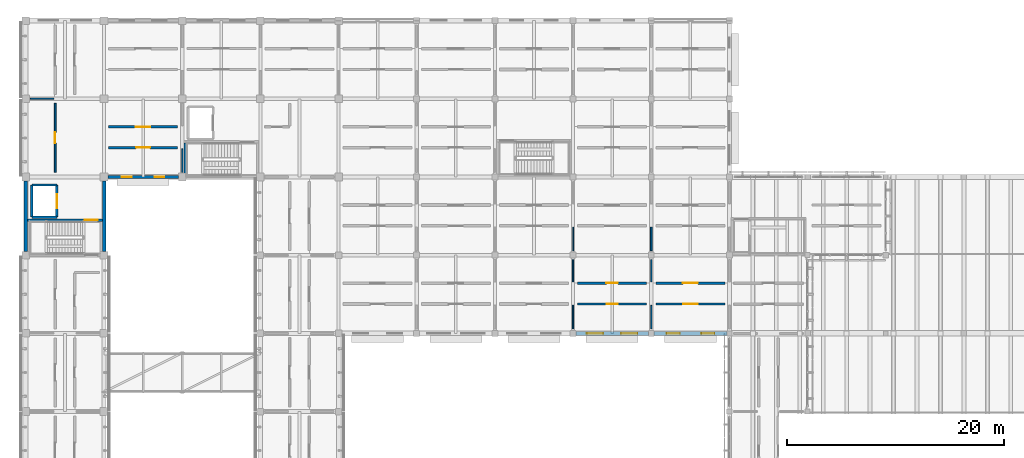
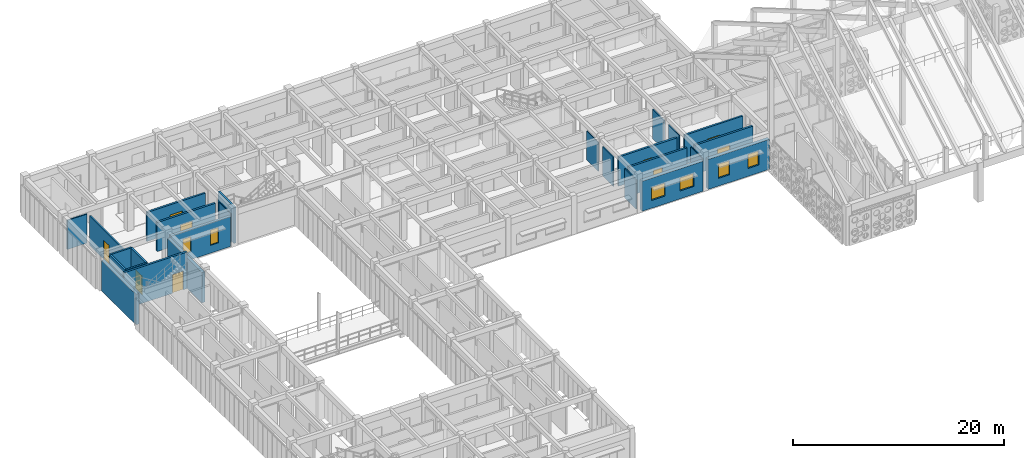
# One storey, part 125 of 171: 26 walls, 9 doors, 6 windows, 15 openings.
"""IFC4 building model written with IfcOpenShell, lengths in metres."""

from ifc_helpers import new_model, si_unit, direction, frame, frame_2d, origin, place, context, subcontext, project, spatial, rectangle, extrude, material, layer, layer_set, type_object, element, fill, save


model = new_model("IFC4")

# Units and contexts
model_context = context("Model", 3, precision=1e-05, world=origin(), true_north=direction((0.0, 1.0)))
body_context = subcontext(model_context, "Body", "Model", "MODEL_VIEW")
ifc_project = project(units=[si_unit("LENGTHUNIT", "METRE"), si_unit("AREAUNIT", "SQUARE_METRE"), si_unit("VOLUMEUNIT", "CUBIC_METRE"), si_unit("PLANEANGLEUNIT", "RADIAN"), si_unit("MASSUNIT", "GRAM", prefix="KILO")], contexts=[model_context])

# Site, building, storey
site_placement = place(None, origin())
site = spatial("IfcSite", under=ifc_project, at=site_placement, CompositionType="ELEMENT")
building_placement = place(site_placement, origin())
building = spatial("IfcBuilding", under=site, at=building_placement, Name="Aldebral Square Health Centre", CompositionType="ELEMENT")
storey_placement = place(building_placement, frame((0.0, 0.0, 4.5)))
storey = spatial("IfcBuildingStorey", under=building, at=storey_placement, Name="L01", CompositionType="ELEMENT", Elevation=4.5)

# Wall, openings, windows
ifc_material_1 = material(Name="Ochre mineral-rendered concrete C35/45 court wall", Category="concrete")
ifc_layer_1 = layer(ifc_material_1, 0.280029296875, Name="Ochre mineral-rendered concrete C35/45 court wall", Category="concrete")
ifc_layer_set_1 = layer_set([ifc_layer_1], Name="Ochre mineral-rendered concrete C35/45 court wall")
wall_type_1 = type_object("IfcWallType", Name="EW-OCH-280", PredefinedType="STANDARD", material=ifc_layer_set_1)
wall_1_placement = place(storey_placement, frame((7.550048828125, 100.800048828125, 0.0), z_axis=(0.0, 0.0, 1.0), x_axis=(1.0, 0.0, 0.0)))
wall_1 = element("IfcWall", 1, at=wall_1_placement, inside=storey, type_object=wall_type_1, Name="L01 V4 exterior wall L01-V4-01-14-S", PredefinedType="STANDARD", context=body_context, shape_type="SweptSolid", body=[
    extrude(rectangle(XDim=6.5, YDim=0.280029296875, at=frame_2d((3.25, 0.0))), origin(), (0.0, 0.0, 1.0), 3.469970703125),
])
opening_1_placement = place(wall_1_placement, frame((1.300048828125, 0.0, 0.89990234375)))
opening_1 = element("IfcOpeningElement", 2, at=opening_1_placement, cuts=wall_1, Name="Opening W37", PredefinedType="OPENING", context=body_context, shape_type="SweptSolid", body=[
    extrude(rectangle(XDim=0.89990234375, YDim=1.75, at=frame_2d((0.449951171875, 0.875))), frame((0.0, 0.14990234375, 0.0), z_axis=(0.0, -1.0, 0.0), x_axis=(1.0, 0.0, 0.0)), (0.0, 0.0, 1.0), 0.300048828125),
])
opening_2_placement = place(wall_1_placement, frame((4.300048828125, 0.0, 0.89990234375)))
opening_2 = element("IfcOpeningElement", 3, at=opening_2_placement, cuts=wall_1, Name="Opening W37", PredefinedType="OPENING", context=body_context, shape_type="SweptSolid", body=[
    extrude(rectangle(XDim=0.89990234375, YDim=1.75, at=frame_2d((0.449951171875, 0.875))), frame((0.0, 0.14990234375, 0.0), z_axis=(0.0, -1.0, 0.0), x_axis=(1.0, 0.0, 0.0)), (0.0, 0.0, 1.0), 0.300048828125),
])
ifc_material_2 = material(Name="Thermally broken aluminium and low-E glass", Category="aluminium")
window_type_1 = type_object("IfcWindowType", Name="WIN-W37", PartitioningType="SINGLE_PANEL", PredefinedType="WINDOW", material=ifc_material_2)
window_1_placement = place(opening_1_placement, origin())
window_1 = element("IfcWindow", 4, at=window_1_placement, inside=storey, type_object=window_type_1, Name="L01 clinical window L01-V4-01-14-S.1", OverallHeight=1.75, OverallWidth=0.89990234375, PartitioningType="SINGLE_PANEL", PredefinedType="WINDOW", context=body_context, shape_type="SweptSolid", body=[
    extrude(rectangle(XDim=0.89990234375, YDim=1.75, at=frame_2d((0.449951171875, 0.875))), frame((0.0, 0.030029296875, 0.0), z_axis=(0.0, -1.0, 0.0), x_axis=(1.0, 0.0, 0.0)), (0.0, 0.0, 1.0), 0.06005859375),
])
fill(opening_1, window_1)
window_2_placement = place(opening_2_placement, origin())
window_2 = element("IfcWindow", 5, at=window_2_placement, inside=storey, type_object=window_type_1, Name="L01 clinical window L01-V4-01-14-S.2", OverallHeight=1.75, OverallWidth=0.89990234375, PartitioningType="SINGLE_PANEL", PredefinedType="WINDOW", context=body_context, shape_type="SweptSolid", body=[
    extrude(rectangle(XDim=0.89990234375, YDim=1.75, at=frame_2d((0.449951171875, 0.875))), frame((0.0, 0.030029296875, 0.0), z_axis=(0.0, -1.0, 0.0), x_axis=(1.0, 0.0, 0.0)), (0.0, 0.0, 1.0), 0.06005859375),
])
fill(opening_2, window_2)

# Walls
ifc_material_3 = material(Name="Precast concrete C40/50 insulated panel", Category="concrete")
ifc_layer_2 = layer(ifc_material_3, 0.320068359375, Name="Precast concrete C40/50 insulated panel", Category="concrete")
ifc_layer_set_2 = layer_set([ifc_layer_2], Name="Precast concrete C40/50 insulated panel")
wall_type_2 = type_object("IfcWallType", Name="EW-PRE-320", PredefinedType="STANDARD", material=ifc_layer_set_2)
for number, where, z_axis, x_axis, name in (
    (6, (0.0, 100.449951171875, 0.0), (0.0, 0.0, 1.0), (0.0, -1.0, 0.0), "L01 V4 exterior wall L01-V4-00-13-W"),
    (7, (7.199951171875, 93.949951171875, 0.0), (0.0, 0.0, 1.0), (0.0, 1.0, 0.0), "L01 V4 exterior wall L01-V4-00-13-E"),
):
    element("IfcWall", number, at=place(storey_placement, frame(where, z_axis=z_axis, x_axis=x_axis)), inside=storey, type_object=wall_type_2, Name=name, PredefinedType="STANDARD", context=body_context, shape_type="SweptSolid", body=[
        extrude(rectangle(XDim=6.5, YDim=0.320068359375, at=frame_2d((3.25, 0.0))), origin(), (0.0, 0.0, 1.0), 3.52001953125),
    ])

# Wall, openings, windows
ifc_material_4 = material(Name="Lead-lined concrete C40/50 radiology exterior wall", Category="concrete")
ifc_layer_3 = layer(ifc_material_4, 0.3798828125, Name="Lead-lined concrete C40/50 radiology exterior wall", Category="concrete")
ifc_layer_set_3 = layer_set([ifc_layer_3], Name="Lead-lined concrete C40/50 radiology exterior wall")
wall_type_3 = type_object("IfcWallType", Name="EW-SHD-380", PredefinedType="SOLIDWALL", material=ifc_layer_set_3)
wall_2_placement = place(storey_placement, frame((50.675048828125, 86.39990234375, 0.0), z_axis=(0.0, 0.0, 1.0), x_axis=(1.0, 0.0, 0.0)))
wall_2 = element("IfcWall", 8, at=wall_2_placement, inside=storey, type_object=wall_type_3, Name="L01 V2 exterior wall L01-V2-07-12-S", PredefinedType="SOLIDWALL", context=body_context, shape_type="SweptSolid", body=[
    extrude(rectangle(XDim=6.64990234375, YDim=0.3798828125, at=frame_2d((3.324951171875, 0.0))), origin(), (0.0, 0.0, 1.0), 3.469970703125),
])
opening_3_placement = place(wall_2_placement, frame((1.0, 0.0, 0.89990234375)))
opening_3 = element("IfcOpeningElement", 9, at=opening_3_placement, cuts=wall_2, Name="Opening W23", PredefinedType="OPENING", context=body_context, shape_type="SweptSolid", body=[
    extrude(rectangle(XDim=1.5, YDim=1.5, at=frame_2d((0.75, 0.75))), frame((0.0, 0.199951171875, 0.0), z_axis=(0.0, -1.0, 0.0), x_axis=(1.0, 0.0, 0.0)), (0.0, 0.0, 1.0), 0.39990234375),
])
opening_4_placement = place(wall_2_placement, frame((4.14990234375, 0.0, 0.89990234375)))
opening_4 = element("IfcOpeningElement", 10, at=opening_4_placement, cuts=wall_2, Name="Opening W23", PredefinedType="OPENING", context=body_context, shape_type="SweptSolid", body=[
    extrude(rectangle(XDim=1.5, YDim=1.5, at=frame_2d((0.75, 0.75))), frame((0.0, 0.199951171875, 0.0), z_axis=(0.0, -1.0, 0.0), x_axis=(1.0, 0.0, 0.0)), (0.0, 0.0, 1.0), 0.39990234375),
])
window_type_2 = type_object("IfcWindowType", Name="WIN-W23", PartitioningType="SINGLE_PANEL", PredefinedType="WINDOW", material=ifc_material_2)
window_3_placement = place(opening_3_placement, origin())
window_3 = element("IfcWindow", 11, at=window_3_placement, inside=storey, type_object=window_type_2, Name="L01 clinical window L01-V2-07-12-S.1", OverallHeight=1.5, OverallWidth=1.5, PartitioningType="SINGLE_PANEL", PredefinedType="WINDOW", context=body_context, shape_type="SweptSolid", body=[
    extrude(rectangle(XDim=1.5, YDim=1.5, at=frame_2d((0.75, 0.75))), frame((0.0, 0.030029296875, 0.0), z_axis=(0.0, -1.0, 0.0), x_axis=(1.0, 0.0, 0.0)), (0.0, 0.0, 1.0), 0.06005859375),
])
fill(opening_3, window_3)
window_4_placement = place(opening_4_placement, origin())
window_4 = element("IfcWindow", 12, at=window_4_placement, inside=storey, type_object=window_type_2, Name="L01 clinical window L01-V2-07-12-S.2", OverallHeight=1.5, OverallWidth=1.5, PartitioningType="SINGLE_PANEL", PredefinedType="WINDOW", context=body_context, shape_type="SweptSolid", body=[
    extrude(rectangle(XDim=1.5, YDim=1.5, at=frame_2d((0.75, 0.75))), frame((0.0, 0.030029296875, 0.0), z_axis=(0.0, -1.0, 0.0), x_axis=(1.0, 0.0, 0.0)), (0.0, 0.0, 1.0), 0.06005859375),
])
fill(opening_4, window_4)

wall_3_placement = place(storey_placement, frame((57.875, 86.39990234375, 0.0), z_axis=(0.0, 0.0, 1.0), x_axis=(1.0, 0.0, 0.0)))
wall_3 = element("IfcWall", 13, at=wall_3_placement, inside=storey, type_object=wall_type_3, Name="L01 V2 exterior wall L01-V2-08-12-S", PredefinedType="SOLIDWALL", context=body_context, shape_type="SweptSolid", body=[
    extrude(rectangle(XDim=6.699951171875, YDim=0.3798828125, at=frame_2d((3.35009765625, 0.0))), origin(), (0.0, 0.0, 1.0), 3.469970703125),
])
opening_5_placement = place(wall_3_placement, frame((1.14990234375, 0.0, 0.89990234375)))
opening_5 = element("IfcOpeningElement", 14, at=opening_5_placement, cuts=wall_3, Name="Opening W30", PredefinedType="OPENING", context=body_context, shape_type="SweptSolid", body=[
    extrude(rectangle(XDim=1.199951171875, YDim=1.6201171875, at=frame_2d((0.60009765625, 0.81005859375))), frame((0.0, 0.199951171875, 0.0), z_axis=(0.0, -1.0, 0.0), x_axis=(1.0, 0.0, 0.0)), (0.0, 0.0, 1.0), 0.39990234375),
])
opening_6_placement = place(wall_3_placement, frame((4.35009765625, 0.0, 0.89990234375)))
opening_6 = element("IfcOpeningElement", 15, at=opening_6_placement, cuts=wall_3, Name="Opening W30", PredefinedType="OPENING", context=body_context, shape_type="SweptSolid", body=[
    extrude(rectangle(XDim=1.199951171875, YDim=1.6201171875, at=frame_2d((0.60009765625, 0.81005859375))), frame((0.0, 0.199951171875, 0.0), z_axis=(0.0, -1.0, 0.0), x_axis=(1.0, 0.0, 0.0)), (0.0, 0.0, 1.0), 0.39990234375),
])
window_type_3 = type_object("IfcWindowType", Name="WIN-W30", PartitioningType="SINGLE_PANEL", PredefinedType="WINDOW", material=ifc_material_2)
window_5_placement = place(opening_5_placement, origin())
window_5 = element("IfcWindow", 16, at=window_5_placement, inside=storey, type_object=window_type_3, Name="L01 clinical window L01-V2-08-12-S.1", OverallHeight=1.6201171875, OverallWidth=1.199951171875, PartitioningType="SINGLE_PANEL", PredefinedType="WINDOW", context=body_context, shape_type="SweptSolid", body=[
    extrude(rectangle(XDim=1.199951171875, YDim=1.6201171875, at=frame_2d((0.60009765625, 0.81005859375))), frame((0.0, 0.030029296875, 0.0), z_axis=(0.0, -1.0, 0.0), x_axis=(1.0, 0.0, 0.0)), (0.0, 0.0, 1.0), 0.06005859375),
])
fill(opening_5, window_5)
window_6_placement = place(opening_6_placement, origin())
window_6 = element("IfcWindow", 17, at=window_6_placement, inside=storey, type_object=window_type_3, Name="L01 clinical window L01-V2-08-12-S.2", OverallHeight=1.6201171875, OverallWidth=1.199951171875, PartitioningType="SINGLE_PANEL", PredefinedType="WINDOW", context=body_context, shape_type="SweptSolid", body=[
    extrude(rectangle(XDim=1.199951171875, YDim=1.6201171875, at=frame_2d((0.60009765625, 0.81005859375))), frame((0.0, 0.030029296875, 0.0), z_axis=(0.0, -1.0, 0.0), x_axis=(1.0, 0.0, 0.0)), (0.0, 0.0, 1.0), 0.06005859375),
])
fill(opening_6, window_6)

# Wall, opening, door
ifc_material_5 = material(Name="Concrete C35/45 compartment wall", Category="concrete")
ifc_layer_4 = layer(ifc_material_5, 0.199951171875, Name="Concrete C35/45 compartment wall", Category="concrete")
ifc_layer_set_4 = layer_set([ifc_layer_4], Name="Concrete C35/45 compartment wall")
wall_type_4 = type_object("IfcWallType", Name="IW-CMP-200", PredefinedType="SOLIDWALL", material=ifc_layer_set_4)
wall_4_placement = place(storey_placement, frame((58.02001953125, 91.02001953125, 0.0), z_axis=(0.0, 0.0, 1.0), x_axis=(1.0, 0.0, 0.0)))
wall_4 = element("IfcWall", 18, at=wall_4_placement, inside=storey, type_object=wall_type_4, Name="L01 Imaging Equipment Plant Room 9.13N corridor wall", PredefinedType="SOLIDWALL", context=body_context, shape_type="SweptSolid", body=[
    extrude(rectangle(XDim=6.35986328125, YDim=0.199951171875, at=frame_2d((3.179931640625, 0.0))), origin(), (0.0, 0.0, 1.0), 3.360107421875),
])
opening_7_placement = place(wall_4_placement, frame((2.489990234375, 0.0, 0.0)))
opening_7 = element("IfcOpeningElement", 19, at=opening_7_placement, cuts=wall_4, Name="Opening D-0234", PredefinedType="OPENING", context=body_context, shape_type="SweptSolid", body=[
    extrude(rectangle(XDim=1.3798828125, YDim=2.0400390625, at=frame_2d((0.68994140625, 1.02001953125))), frame((0.0, 0.10986328125, 0.0), z_axis=(0.0, -1.0, 0.0), x_axis=(1.0, 0.0, 0.0)), (0.0, 0.0, 1.0), 0.219970703125),
])
ifc_material_6 = material(Name="Clinical suite fire door")
door_type_1 = type_object("IfcDoorType", Name="ID-EXD-12", OperationType="NOTDEFINED", PredefinedType="DOOR", material=ifc_material_6)
door_1_placement = place(opening_7_placement, origin())
door_1 = element("IfcDoor", 20, at=door_1_placement, inside=storey, type_object=door_type_1, Name="L01 Imaging Equipment Plant Room 9.13N door", OperationType="SINGLE_SWING_LEFT", OverallHeight=2.0400390625, OverallWidth=1.3798828125, PredefinedType="DOOR", context=body_context, shape_type="SweptSolid", body=[
    extrude(rectangle(XDim=1.3798828125, YDim=2.0400390625, at=frame_2d((0.68994140625, 1.02001953125))), frame((0.0, 0.02490234375, 0.0), z_axis=(0.0, -1.0, 0.0), x_axis=(1.0, 0.0, 0.0)), (0.0, 0.0, 1.0), 0.050048828125),
])
fill(opening_7, door_1)

ifc_layer_5 = layer(ifc_material_5, 0.219970703125, Name="Concrete C35/45 compartment wall", Category="concrete")
ifc_layer_set_5 = layer_set([ifc_layer_5], Name="Concrete C35/45 compartment wall")
wall_type_5 = type_object("IfcWallType", Name="IW-CMP-220", PredefinedType="SOLIDWALL", material=ifc_layer_set_5)
wall_5_placement = place(storey_placement, frame((50.820068359375, 91.02001953125, 0.0), z_axis=(0.0, 0.0, 1.0), x_axis=(1.0, 0.0, 0.0)))
wall_5 = element("IfcWall", 21, at=wall_5_placement, inside=storey, type_object=wall_type_5, Name="L01 Imaging Equipment Plant Room 8.13N corridor wall", PredefinedType="SOLIDWALL", context=body_context, shape_type="SweptSolid", body=[
    extrude(rectangle(XDim=6.35986328125, YDim=0.219970703125, at=frame_2d((3.179931640625, 0.0))), origin(), (0.0, 0.0, 1.0), 3.360107421875),
])
opening_8_placement = place(wall_5_placement, frame((2.64990234375, 0.0, 0.0)))
opening_8 = element("IfcOpeningElement", 22, at=opening_8_placement, cuts=wall_5, Name="Opening D-0226", PredefinedType="OPENING", context=body_context, shape_type="SweptSolid", body=[
    extrude(rectangle(XDim=1.06005859375, YDim=2.0400390625, at=frame_2d((0.530029296875, 1.02001953125))), frame((0.0, 0.1201171875, 0.0), z_axis=(0.0, -1.0, 0.0), x_axis=(1.0, 0.0, 0.0)), (0.0, 0.0, 1.0), 0.239990234375),
])
door_type_2 = type_object("IfcDoorType", Name="ID-EXD-04", OperationType="NOTDEFINED", PredefinedType="DOOR", material=ifc_material_6)
door_2_placement = place(opening_8_placement, origin())
door_2 = element("IfcDoor", 23, at=door_2_placement, inside=storey, type_object=door_type_2, Name="L01 Imaging Equipment Plant Room 8.13N door", OperationType="SINGLE_SWING_LEFT", OverallHeight=2.0400390625, OverallWidth=1.06005859375, PredefinedType="DOOR", context=body_context, shape_type="SweptSolid", body=[
    extrude(rectangle(XDim=1.06005859375, YDim=2.0400390625, at=frame_2d((0.530029296875, 1.02001953125))), frame((0.0, 0.02490234375, 0.0), z_axis=(0.0, -1.0, 0.0), x_axis=(1.0, 0.0, 0.0)), (0.0, 0.0, 1.0), 0.050048828125),
])
fill(opening_8, door_2)

ifc_material_7 = material(Name="Fire-rated acoustic gypsum partition")
ifc_layer_6 = layer(ifc_material_7, 0.1650390625, Name="Fire-rated acoustic gypsum partition")
ifc_layer_set_6 = layer_set([ifc_layer_6], Name="Fire-rated acoustic gypsum partition")
wall_type_6 = type_object("IfcWallType", Name="IW-COR-165", PredefinedType="PARTITIONING", material=ifc_layer_set_6)
wall_6_placement = place(storey_placement, frame((2.699951171875, 101.219970703125, 0.0), z_axis=(0.0, 0.0, 1.0), x_axis=(0.0, 1.0, 0.0)))
wall_6 = element("IfcWall", 24, at=wall_6_placement, inside=storey, type_object=wall_type_6, Name="L01 Outpatient Treatment Room 1.15W corridor wall", PredefinedType="PARTITIONING", context=body_context, shape_type="SweptSolid", body=[
    extrude(rectangle(XDim=6.360107421875, YDim=0.1650390625, at=frame_2d((3.18017578125, 0.0))), origin(), (0.0, 0.0, 1.0), 3.360107421875),
])
opening_9_placement = place(wall_6_placement, frame((2.669921875, 0.0, 0.0)))
opening_9 = element("IfcOpeningElement", 25, at=opening_9_placement, cuts=wall_6, Name="Opening D-0273", PredefinedType="OPENING", context=body_context, shape_type="SweptSolid", body=[
    extrude(rectangle(XDim=1.02001953125, YDim=2.18994140625, at=frame_2d((0.510009765625, 1.094970703125))), frame((0.0, 0.092529296875, 0.0), z_axis=(0.0, -1.0, 0.0), x_axis=(1.0, 0.0, 0.0)), (0.0, 0.0, 1.0), 0.18505859375),
])
door_type_3 = type_object("IfcDoorType", Name="ID-EXD-51", OperationType="NOTDEFINED", PredefinedType="DOOR", material=ifc_material_6)
door_3_placement = place(opening_9_placement, origin())
door_3 = element("IfcDoor", 26, at=door_3_placement, inside=storey, type_object=door_type_3, Name="L01 Outpatient Treatment Room 1.15W door", OperationType="SINGLE_SWING_RIGHT", OverallHeight=2.18994140625, OverallWidth=1.02001953125, PredefinedType="DOOR", context=body_context, shape_type="SweptSolid", body=[
    extrude(rectangle(XDim=1.02001953125, YDim=2.18994140625, at=frame_2d((0.510009765625, 1.094970703125))), frame((0.0, 0.02490234375, 0.0), z_axis=(0.0, -1.0, 0.0), x_axis=(1.0, 0.0, 0.0)), (0.0, 0.0, 1.0), 0.050048828125),
])
fill(opening_9, door_3)

ifc_material_8 = material(Name="Concrete C40/50", Category="concrete")
ifc_layer_7 = layer(ifc_material_8, 0.219970703125, Name="Concrete C40/50", Category="concrete")
ifc_layer_set_7 = layer_set([ifc_layer_7], Name="Concrete C40/50")
wall_type_7 = type_object("IfcWallType", Name="IW-CORE-280", PredefinedType="SHEAR", material=ifc_layer_set_7)
wall_7_placement = place(storey_placement, frame((0.159912109375, 96.830078125, 0.0), z_axis=(0.0, 0.0, 1.0), x_axis=(1.0, 0.0, 0.0)))
wall_7 = element("IfcWall", 27, at=wall_7_placement, inside=storey, type_object=wall_type_7, Name="L01 WC-C1 shaft wall N", PredefinedType="SHEAR", context=body_context, shape_type="SweptSolid", body=[
    extrude(rectangle(XDim=6.880126953125, YDim=0.219970703125, at=frame_2d((3.43994140625, 0.0))), origin(), (0.0, 0.0, 1.0), 4.219970703125),
])
opening_10_placement = place(wall_7_placement, frame((5.25, 0.0, 0.0)))
opening_10 = element("IfcOpeningElement", 28, at=opening_10_placement, cuts=wall_7, Name="Opening D-0005", PredefinedType="OPENING", context=body_context, shape_type="SweptSolid", body=[
    extrude(rectangle(XDim=1.199951171875, YDim=2.14990234375, at=frame_2d((0.60009765625, 1.074951171875))), frame((0.0, 0.1201171875, 0.0), z_axis=(0.0, -1.0, 0.0), x_axis=(1.0, 0.0, 0.0)), (0.0, 0.0, 1.0), 0.239990234375),
])
ifc_material_9 = material(Name="Fire-rated steel stair door", Category="steel")
door_type_4 = type_object("IfcDoorType", Name="ID-ST-120", OperationType="NOTDEFINED", PredefinedType="DOOR", material=ifc_material_9)
door_4_placement = place(opening_10_placement, origin())
door_4 = element("IfcDoor", 29, at=door_4_placement, inside=storey, type_object=door_type_4, Name="L01 ST-01 fire door", OperationType="SINGLE_SWING_RIGHT", OverallHeight=2.14990234375, OverallWidth=1.199951171875, PredefinedType="DOOR", context=body_context, shape_type="SweptSolid", body=[
    extrude(rectangle(XDim=1.199951171875, YDim=2.14990234375, at=frame_2d((0.60009765625, 1.074951171875))), frame((0.0, 0.02490234375, 0.0), z_axis=(0.0, -1.0, 0.0), x_axis=(1.0, 0.0, 0.0)), (0.0, 0.0, 1.0), 0.050048828125),
])
fill(opening_10, door_4)

# Walls
wall_8_placement = place(storey_placement, frame((14.669921875, 100.919921875, 0.0), z_axis=(0.0, 0.0, 1.0), x_axis=(0.0, 1.0, 0.0)))
element("IfcWall", 30, at=wall_8_placement, inside=storey, type_object=wall_type_7, Name="L01 WC-C2 shaft wall W", PredefinedType="SHEAR", context=body_context, shape_type="SweptSolid", body=[
    extrude(rectangle(XDim=3.0, YDim=0.219970703125, at=frame_2d((1.5, 0.0))), origin(), (0.0, 0.0, 1.0), 4.219970703125),
])
ifc_layer_8 = layer(ifc_material_8, 0.199951171875, Name="Concrete C40/50", Category="concrete")
ifc_layer_set_8 = layer_set([ifc_layer_8], Name="Concrete C40/50")
wall_type_8 = type_object("IfcWallType", Name="IW-LFT-250", PredefinedType="SHEAR", material=ifc_layer_set_8)
wall_9_placement = place(storey_placement, frame((0.550048828125, 97.10009765625, 0.0), z_axis=(0.0, 0.0, 1.0), x_axis=(1.0, 0.0, 0.0)))
element("IfcWall", 31, at=wall_9_placement, inside=storey, type_object=wall_type_8, Name="L01 LF-01 shaft wall S", PredefinedType="SHEAR", context=body_context, shape_type="SweptSolid", body=[
    extrude(rectangle(XDim=2.300048828125, YDim=0.199951171875, at=frame_2d((1.14990234375, 0.0))), origin(), (0.0, 0.0, 1.0), 4.219970703125),
])
wall_10_placement = place(storey_placement, frame((0.550048828125, 97.10009765625, 0.0), z_axis=(0.0, 0.0, 1.0), x_axis=(0.0, 1.0, 0.0)))
element("IfcWall", 32, at=wall_10_placement, inside=storey, type_object=wall_type_8, Name="L01 LF-01 shaft wall W", PredefinedType="SHEAR", context=body_context, shape_type="SweptSolid", body=[
    extrude(rectangle(XDim=2.949951171875, YDim=0.199951171875, at=frame_2d((1.47509765625, 0.0))), origin(), (0.0, 0.0, 1.0), 4.219970703125),
])
wall_11_placement = place(storey_placement, frame((0.550048828125, 100.050048828125, 0.0), z_axis=(0.0, 0.0, 1.0), x_axis=(1.0, 0.0, 0.0)))
element("IfcWall", 33, at=wall_11_placement, inside=storey, type_object=wall_type_8, Name="L01 LF-01 shaft wall N", PredefinedType="SHEAR", context=body_context, shape_type="SweptSolid", body=[
    extrude(rectangle(XDim=2.300048828125, YDim=0.199951171875, at=frame_2d((1.14990234375, 0.0))), origin(), (0.0, 0.0, 1.0), 4.219970703125),
])

# Wall, opening, door
wall_12_placement = place(storey_placement, frame((2.85009765625, 97.10009765625, 0.0), z_axis=(0.0, 0.0, 1.0), x_axis=(0.0, 1.0, 0.0)))
wall_12 = element("IfcWall", 34, at=wall_12_placement, inside=storey, type_object=wall_type_8, Name="L01 LF-01 landing wall", PredefinedType="SHEAR", context=body_context, shape_type="SweptSolid", body=[
    extrude(rectangle(XDim=2.949951171875, YDim=0.199951171875, at=frame_2d((1.47509765625, 0.0))), origin(), (0.0, 0.0, 1.0), 4.219970703125),
])
opening_11_placement = place(wall_12_placement, frame((0.824951171875, 0.0, 0.0)))
opening_11 = element("IfcOpeningElement", 35, at=opening_11_placement, cuts=wall_12, Name="Opening D-0007", PredefinedType="OPENING", context=body_context, shape_type="SweptSolid", body=[
    extrude(rectangle(XDim=1.300048828125, YDim=2.14990234375, at=frame_2d((0.64990234375, 1.074951171875))), frame((0.0, 0.10986328125, 0.0), z_axis=(0.0, -1.0, 0.0), x_axis=(1.0, 0.0, 0.0)), (0.0, 0.0, 1.0), 0.219970703125),
])
ifc_material_10 = material(Name="Stainless steel stretcher lift landing door", Category="steel")
door_type_5 = type_object("IfcDoorType", Name="ID-LD-130", OperationType="SLIDING_TO_LEFT", PredefinedType="DOOR", material=ifc_material_10)
door_5_placement = place(opening_11_placement, origin())
door_5 = element("IfcDoor", 36, at=door_5_placement, inside=storey, type_object=door_type_5, Name="L01 LF-01 sliding landing door", OperationType="SLIDING_TO_LEFT", OverallHeight=2.14990234375, OverallWidth=1.300048828125, PredefinedType="DOOR", context=body_context, shape_type="SweptSolid", body=[
    extrude(rectangle(XDim=1.300048828125, YDim=2.14990234375, at=frame_2d((0.64990234375, 1.074951171875))), frame((0.0, 0.02490234375, 0.0), z_axis=(0.0, -1.0, 0.0), x_axis=(1.0, 0.0, 0.0)), (0.0, 0.0, 1.0), 0.050048828125),
])
fill(opening_11, door_5)

ifc_material_11 = material(Name="Moisture-resistant sanitary chase wall")
ifc_layer_9 = layer(ifc_material_11, 0.2099609375, Name="Moisture-resistant sanitary chase wall")
ifc_layer_set_9 = layer_set([ifc_layer_9], Name="Moisture-resistant sanitary chase wall")
wall_type_9 = type_object("IfcWallType", Name="IW-PLB-210", PredefinedType="PLUMBINGWALL", material=ifc_layer_set_9)
wall_13_placement = place(storey_placement, frame((50.820068359375, 89.10009765625, 0.0), z_axis=(0.0, 0.0, 1.0), x_axis=(1.0, 0.0, 0.0)))
wall_13 = element("IfcWall", 37, at=wall_13_placement, inside=storey, type_object=wall_type_9, Name="L01 Patient Imaging Dressing WC 8.13S corridor wall", PredefinedType="PLUMBINGWALL", context=body_context, shape_type="SweptSolid", body=[
    extrude(rectangle(XDim=6.35986328125, YDim=0.2099609375, at=frame_2d((3.179931640625, 0.0))), origin(), (0.0, 0.0, 1.0), 3.360107421875),
])
opening_12_placement = place(wall_13_placement, frame((2.669921875, 0.0, 0.0)))
opening_12 = element("IfcOpeningElement", 38, at=opening_12_placement, cuts=wall_13, Name="Opening D-0225", PredefinedType="OPENING", context=body_context, shape_type="SweptSolid", body=[
    extrude(rectangle(XDim=1.02001953125, YDim=2.0400390625, at=frame_2d((0.510009765625, 1.02001953125))), frame((0.0, 0.114990234375, 0.0), z_axis=(0.0, -1.0, 0.0), x_axis=(1.0, 0.0, 0.0)), (0.0, 0.0, 1.0), 0.22998046875),
])
door_type_6 = type_object("IfcDoorType", Name="ID-EXD-03", OperationType="NOTDEFINED", PredefinedType="DOOR", material=ifc_material_6)
door_6_placement = place(opening_12_placement, origin())
door_6 = element("IfcDoor", 39, at=door_6_placement, inside=storey, type_object=door_type_6, Name="L01 Patient Imaging Dressing WC 8.13S door", OperationType="SINGLE_SWING_RIGHT", OverallHeight=2.0400390625, OverallWidth=1.02001953125, PredefinedType="DOOR", context=body_context, shape_type="SweptSolid", body=[
    extrude(rectangle(XDim=1.02001953125, YDim=2.0400390625, at=frame_2d((0.510009765625, 1.02001953125))), frame((0.0, 0.02490234375, 0.0), z_axis=(0.0, -1.0, 0.0), x_axis=(1.0, 0.0, 0.0)), (0.0, 0.0, 1.0), 0.050048828125),
])
fill(opening_12, door_6)

wall_14_placement = place(storey_placement, frame((58.02001953125, 89.10009765625, 0.0), z_axis=(0.0, 0.0, 1.0), x_axis=(1.0, 0.0, 0.0)))
wall_14 = element("IfcWall", 40, at=wall_14_placement, inside=storey, type_object=wall_type_9, Name="L01 Patient Imaging Dressing WC 9.13S corridor wall", PredefinedType="PLUMBINGWALL", context=body_context, shape_type="SweptSolid", body=[
    extrude(rectangle(XDim=6.35986328125, YDim=0.2099609375, at=frame_2d((3.179931640625, 0.0))), origin(), (0.0, 0.0, 1.0), 3.360107421875),
])
opening_13_placement = place(wall_14_placement, frame((2.510009765625, 0.0, 0.0)))
opening_13 = element("IfcOpeningElement", 41, at=opening_13_placement, cuts=wall_14, Name="Opening D-0233", PredefinedType="OPENING", context=body_context, shape_type="SweptSolid", body=[
    extrude(rectangle(XDim=1.340087890625, YDim=2.0400390625, at=frame_2d((0.669921875, 1.02001953125))), frame((0.0, 0.114990234375, 0.0), z_axis=(0.0, -1.0, 0.0), x_axis=(1.0, 0.0, 0.0)), (0.0, 0.0, 1.0), 0.22998046875),
])
door_type_7 = type_object("IfcDoorType", Name="ID-EXD-11", OperationType="NOTDEFINED", PredefinedType="DOOR", material=ifc_material_6)
door_7_placement = place(opening_13_placement, origin())
door_7 = element("IfcDoor", 42, at=door_7_placement, inside=storey, type_object=door_type_7, Name="L01 Patient Imaging Dressing WC 9.13S door", OperationType="SINGLE_SWING_RIGHT", OverallHeight=2.0400390625, OverallWidth=1.340087890625, PredefinedType="DOOR", context=body_context, shape_type="SweptSolid", body=[
    extrude(rectangle(XDim=1.340087890625, YDim=2.0400390625, at=frame_2d((0.669921875, 1.02001953125))), frame((0.0, 0.02490234375, 0.0), z_axis=(0.0, -1.0, 0.0), x_axis=(1.0, 0.0, 0.0)), (0.0, 0.0, 1.0), 0.050048828125),
])
fill(opening_13, door_7)

wall_15_placement = place(storey_placement, frame((7.6201171875, 103.5, 0.0), z_axis=(0.0, 0.0, 1.0), x_axis=(1.0, 0.0, 0.0)))
wall_15 = element("IfcWall", 43, at=wall_15_placement, inside=storey, type_object=wall_type_9, Name="L01 Accessible WC 2.15S corridor wall", PredefinedType="PLUMBINGWALL", context=body_context, shape_type="SweptSolid", body=[
    extrude(rectangle(XDim=6.35986328125, YDim=0.2099609375, at=frame_2d((3.179931640625, 0.0))), origin(), (0.0, 0.0, 1.0), 3.360107421875),
])
opening_14_placement = place(wall_15_placement, frame((2.530029296875, 0.0, 0.0)))
opening_14 = element("IfcOpeningElement", 44, at=opening_14_placement, cuts=wall_15, Name="Opening D-0280", PredefinedType="OPENING", context=body_context, shape_type="SweptSolid", body=[
    extrude(rectangle(XDim=1.300048828125, YDim=2.18994140625, at=frame_2d((0.64990234375, 1.094970703125))), frame((0.0, 0.114990234375, 0.0), z_axis=(0.0, -1.0, 0.0), x_axis=(1.0, 0.0, 0.0)), (0.0, 0.0, 1.0), 0.22998046875),
])
door_type_8 = type_object("IfcDoorType", Name="ID-EXD-58", OperationType="NOTDEFINED", PredefinedType="DOOR", material=ifc_material_6)
door_8_placement = place(opening_14_placement, origin())
door_8 = element("IfcDoor", 45, at=door_8_placement, inside=storey, type_object=door_type_8, Name="L01 Accessible WC 2.15S door", OperationType="SINGLE_SWING_LEFT", OverallHeight=2.18994140625, OverallWidth=1.300048828125, PredefinedType="DOOR", context=body_context, shape_type="SweptSolid", body=[
    extrude(rectangle(XDim=1.300048828125, YDim=2.18994140625, at=frame_2d((0.64990234375, 1.094970703125))), frame((0.0, 0.02490234375, 0.0), z_axis=(0.0, -1.0, 0.0), x_axis=(1.0, 0.0, 0.0)), (0.0, 0.0, 1.0), 0.050048828125),
])
fill(opening_14, door_8)

wall_16_placement = place(storey_placement, frame((7.6201171875, 105.419921875, 0.0), z_axis=(0.0, 0.0, 1.0), x_axis=(1.0, 0.0, 0.0)))
wall_16 = element("IfcWall", 46, at=wall_16_placement, inside=storey, type_object=wall_type_9, Name="L01 Staff Toilet 2.15N corridor wall", PredefinedType="PLUMBINGWALL", context=body_context, shape_type="SweptSolid", body=[
    extrude(rectangle(XDim=6.35986328125, YDim=0.2099609375, at=frame_2d((3.179931640625, 0.0))), origin(), (0.0, 0.0, 1.0), 3.360107421875),
])
opening_15_placement = place(wall_16_placement, frame((2.510009765625, 0.0, 0.0)))
opening_15 = element("IfcOpeningElement", 47, at=opening_15_placement, cuts=wall_16, Name="Opening D-0281", PredefinedType="OPENING", context=body_context, shape_type="SweptSolid", body=[
    extrude(rectangle(XDim=1.340087890625, YDim=2.18994140625, at=frame_2d((0.669921875, 1.094970703125))), frame((0.0, 0.114990234375, 0.0), z_axis=(0.0, -1.0, 0.0), x_axis=(1.0, 0.0, 0.0)), (0.0, 0.0, 1.0), 0.22998046875),
])
door_type_9 = type_object("IfcDoorType", Name="ID-EXD-59", OperationType="NOTDEFINED", PredefinedType="DOOR", material=ifc_material_6)
door_9_placement = place(opening_15_placement, origin())
door_9 = element("IfcDoor", 48, at=door_9_placement, inside=storey, type_object=door_type_9, Name="L01 Staff Toilet 2.15N door", OperationType="SINGLE_SWING_RIGHT", OverallHeight=2.18994140625, OverallWidth=1.340087890625, PredefinedType="DOOR", context=body_context, shape_type="SweptSolid", body=[
    extrude(rectangle(XDim=1.340087890625, YDim=2.18994140625, at=frame_2d((0.669921875, 1.094970703125))), frame((0.0, 0.02490234375, 0.0), z_axis=(0.0, -1.0, 0.0), x_axis=(1.0, 0.0, 0.0)), (0.0, 0.0, 1.0), 0.050048828125),
])
fill(opening_15, door_9)

# Walls
ifc_material_12 = material(Name="Lightweight clinical partition")
ifc_layer_10 = layer(ifc_material_12, 0.10498046875, Name="Lightweight clinical partition")
ifc_layer_set_10 = layer_set([ifc_layer_10], Name="Lightweight clinical partition")
wall_type_10 = type_object("IfcWallType", Name="IW-PRT-105", PredefinedType="PARTITIONING", material=ifc_layer_set_10)
for number, where, z_axis, x_axis, name in (
    (49, (50.39990234375, 94.02001953125, 0.0), (0.0, 0.0, 1.0), (0.0, 1.0, 0.0), "L01 Digital Radiography X-Ray Room 7.14S demising partition"),
    (50, (57.60009765625, 86.820068359375, 0.0), (0.0, 0.0, 1.0), (0.0, 1.0, 0.0), "L01 Patient Imaging Dressing WC 8.13S demising partition"),
):
    element("IfcWall", number, at=place(storey_placement, frame(where, z_axis=z_axis, x_axis=x_axis)), inside=storey, type_object=wall_type_10, Name=name, PredefinedType="PARTITIONING", context=body_context, shape_type="SweptSolid", body=[
        extrude(rectangle(XDim=2.159912109375, YDim=0.10498046875, at=frame_2d((1.080078125, 0.0))), origin(), (0.0, 0.0, 1.0), 3.360107421875),
    ])
wall_17_placement = place(storey_placement, frame((57.60009765625, 91.139892578125, 0.0), z_axis=(0.0, 0.0, 1.0), x_axis=(0.0, 1.0, 0.0)))
element("IfcWall", 51, at=wall_17_placement, inside=storey, type_object=wall_type_10, Name="L01 Imaging Equipment Plant Room 8.13N demising partition", PredefinedType="PARTITIONING", context=body_context, shape_type="SweptSolid", body=[
    extrude(rectangle(XDim=2.0400390625, YDim=0.10498046875, at=frame_2d((1.02001953125, 0.0))), origin(), (0.0, 0.0, 1.0), 3.360107421875),
])
wall_18_placement = place(storey_placement, frame((14.39990234375, 101.219970703125, 0.0), z_axis=(0.0, 0.0, 1.0), x_axis=(0.0, 1.0, 0.0)))
element("IfcWall", 52, at=wall_18_placement, inside=storey, type_object=wall_type_10, Name="L01 Accessible WC 2.15S demising partition", PredefinedType="PARTITIONING", context=body_context, shape_type="SweptSolid", body=[
    extrude(rectangle(XDim=2.159912109375, YDim=0.10498046875, at=frame_2d((1.080078125, 0.0))), origin(), (0.0, 0.0, 1.0), 3.360107421875),
])
ifc_material_13 = material(Name="Acoustic clinical gypsum partition")
ifc_layer_11 = layer(ifc_material_13, 0.1201171875, Name="Acoustic clinical gypsum partition")
ifc_layer_set_11 = layer_set([ifc_layer_11], Name="Acoustic clinical gypsum partition")
wall_type_11 = type_object("IfcWallType", Name="IW-PRT-120", PredefinedType="PARTITIONING", material=ifc_layer_set_11)
wall_19_placement = place(storey_placement, frame((50.39990234375, 86.820068359375, 0.0), z_axis=(0.0, 0.0, 1.0), x_axis=(0.0, 1.0, 0.0)))
element("IfcWall", 53, at=wall_19_placement, inside=storey, type_object=wall_type_11, Name="L01 Diagnostic Imaging CT Suite 7.13S demising partition", PredefinedType="PARTITIONING", context=body_context, shape_type="SweptSolid", body=[
    extrude(rectangle(XDim=2.159912109375, YDim=0.1201171875, at=frame_2d((1.080078125, 0.0))), origin(), (0.0, 0.0, 1.0), 3.360107421875),
])
wall_20_placement = place(storey_placement, frame((50.39990234375, 91.139892578125, 0.0), z_axis=(0.0, 0.0, 1.0), x_axis=(0.0, 1.0, 0.0)))
element("IfcWall", 54, at=wall_20_placement, inside=storey, type_object=wall_type_11, Name="L01 CT Control and Shielded Monitoring 7.13N demising partition", PredefinedType="PARTITIONING", context=body_context, shape_type="SweptSolid", body=[
    extrude(rectangle(XDim=2.0400390625, YDim=0.1201171875, at=frame_2d((1.02001953125, 0.0))), origin(), (0.0, 0.0, 1.0), 3.360107421875),
])
wall_21_placement = place(storey_placement, frame((0.419921875, 108.0, 0.0), z_axis=(0.0, 0.0, 1.0), x_axis=(1.0, 0.0, 0.0)))
element("IfcWall", 55, at=wall_21_placement, inside=storey, type_object=wall_type_11, Name="L01 Outpatient Treatment Room 1.15W demising partition", PredefinedType="PARTITIONING", context=body_context, shape_type="SweptSolid", body=[
    extrude(rectangle(XDim=2.16015625, YDim=0.1201171875, at=frame_2d((1.080078125, 0.0))), origin(), (0.0, 0.0, 1.0), 3.360107421875),
])
ifc_layer_12 = layer(ifc_material_13, 0.14990234375, Name="Acoustic clinical gypsum partition")
ifc_layer_set_12 = layer_set([ifc_layer_12], Name="Acoustic clinical gypsum partition")
wall_type_12 = type_object("IfcWallType", Name="IW-PRT-150", PredefinedType="PARTITIONING", material=ifc_layer_set_12)
wall_22_placement = place(storey_placement, frame((57.60009765625, 94.02001953125, 0.0), z_axis=(0.0, 0.0, 1.0), x_axis=(0.0, 1.0, 0.0)))
element("IfcWall", 56, at=wall_22_placement, inside=storey, type_object=wall_type_12, Name="L01 Diagnostic Imaging CT Suite 8.14S demising partition", PredefinedType="PARTITIONING", context=body_context, shape_type="SweptSolid", body=[
    extrude(rectangle(XDim=2.159912109375, YDim=0.14990234375, at=frame_2d((1.080078125, 0.0))), origin(), (0.0, 0.0, 1.0), 3.360107421875),
])

save(model, "model.ifc")
